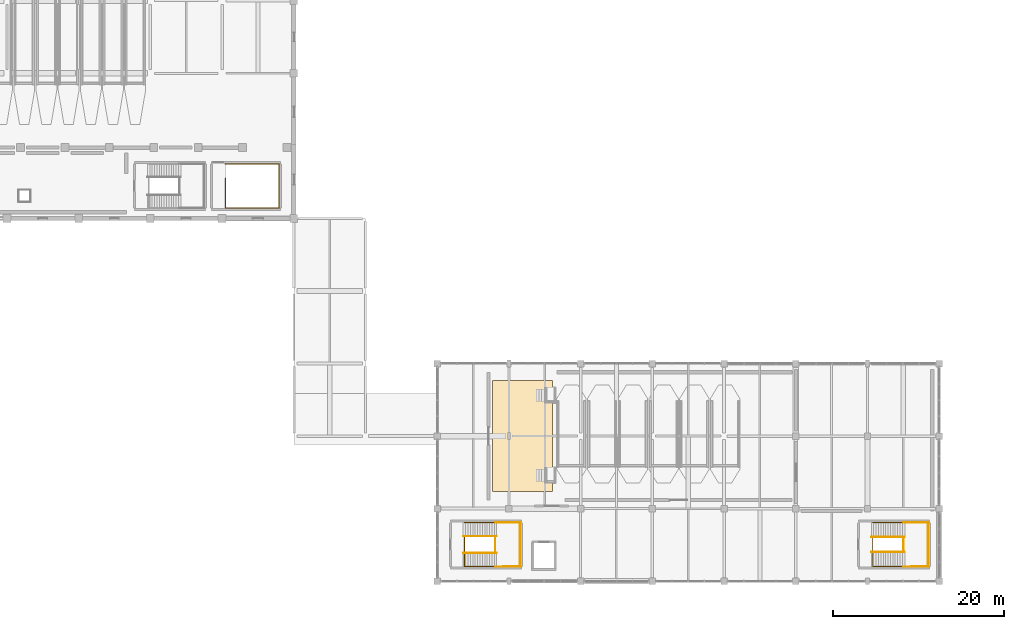
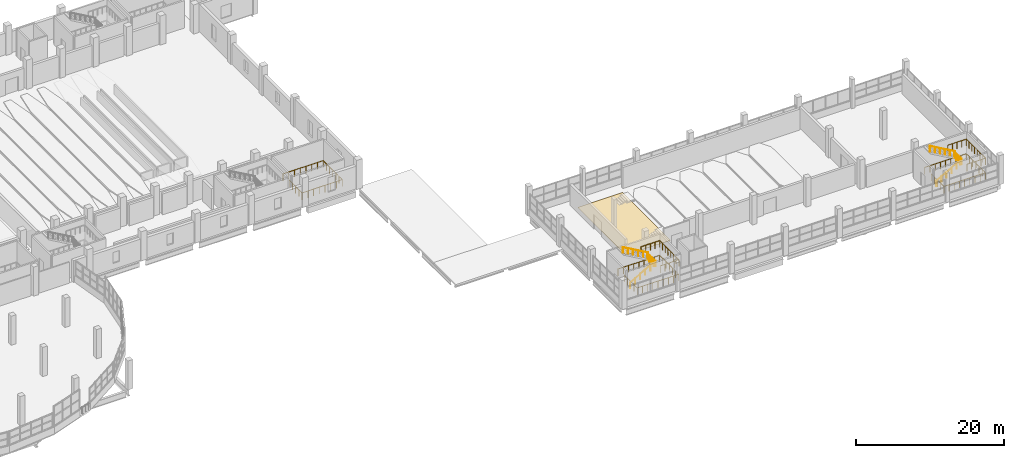
# One storey, part 114 of 117: 11 railings, 1 covering.
"""IFC4 building model written with IfcOpenShell, lengths in metres."""

from ifc_helpers import new_model, si_unit, direction, frame, origin, origin_2d, place, context, subcontext, project, spatial, polyline, circle, outline, extrude, material, layer, layer_set, type_object, element, save


model = new_model("IFC4")

# Units and contexts
model_context = context("Model", 3, precision=1e-05, world=origin(), true_north=direction((0.0, 1.0)))
body_context = subcontext(model_context, "Body", "Model", "MODEL_VIEW")
ifc_project = project(units=[si_unit("LENGTHUNIT", "METRE"), si_unit("AREAUNIT", "SQUARE_METRE"), si_unit("VOLUMEUNIT", "CUBIC_METRE"), si_unit("PLANEANGLEUNIT", "RADIAN"), si_unit("MASSUNIT", "GRAM", prefix="KILO")], contexts=[model_context])

# Site, building, storey
site_placement = place(None, origin())
site = spatial("IfcSite", under=ifc_project, at=site_placement, CompositionType="ELEMENT")
building_placement = place(site_placement, origin())
building = spatial("IfcBuilding", under=site, at=building_placement, Name="Solvento Point Concert Hall", CompositionType="ELEMENT")
storey_placement = place(building_placement, frame((0.0, 0.0, 5.39990234375)))
storey = spatial("IfcBuildingStorey", under=building, at=storey_placement, Name="L01", CompositionType="ELEMENT", Elevation=5.39990234375)

# Railings
ifc_material_1 = material(Name="Brushed Stainless Steel Balustrade", Category="steel")
railing_type_1 = type_object("IfcRailingType", Name="StairHandrail_915", PredefinedType="HANDRAIL", material=ifc_material_1)
railing_1_placement = place(storey_placement, frame((153.050048828125, 3.330078125, 0.16015625)))
element("IfcRailing", 1, at=railing_1_placement, inside=storey, type_object=railing_type_1, Name="Stair handrail HR-01 ST-08 L01 F1", PredefinedType="HANDRAIL", context=body_context, shape_type="SweptSolid", body=[
    extrude(circle(Radius=0.0224609375, at=origin_2d()), frame((0.0, 0.0, 0.892578125), z_axis=(0.868239814368, 0.0, 0.496144761885), x_axis=(0.0, 1.0, 0.0)), (0.0, 0.0, 1.0), 4.514892578125),
    extrude(circle(Radius=0.01904296875, at=origin_2d()), origin(), (0.0, 0.0, 1.0), 0.8701171875),
    extrude(circle(Radius=0.01904296875, at=origin_2d()), frame((0.783935546875, 0.0, 0.447998046875)), (0.0, 0.0, 1.0), 0.8701171875),
    extrude(circle(Radius=0.01904296875, at=origin_2d()), frame((1.56787109375, 0.0, 0.89599609375)), (0.0, 0.0, 1.0), 0.8701171875),
    extrude(circle(Radius=0.01904296875, at=origin_2d()), frame((2.35205078125, 0.0, 1.343994140625)), (0.0, 0.0, 1.0), 0.8701171875),
    extrude(circle(Radius=0.01904296875, at=origin_2d()), frame((3.135986328125, 0.0, 1.7919921875)), (0.0, 0.0, 1.0), 0.8701171875),
    extrude(circle(Radius=0.01904296875, at=origin_2d()), frame((3.919921875, 0.0, 2.239990234375)), (0.0, 0.0, 1.0), 0.8701171875),
])
railing_2_placement = place(storey_placement, frame((156.969970703125, 5.27001953125, 2.56005859375)))
element("IfcRailing", 2, at=railing_2_placement, inside=storey, type_object=railing_type_1, Name="Stair handrail HR-01 ST-08 L01 F2", PredefinedType="HANDRAIL", context=body_context, shape_type="SweptSolid", body=[
    extrude(circle(Radius=0.0224609375, at=origin_2d()), frame((0.0, 0.0, 0.892578125), z_axis=(-0.868239814368, 0.0, 0.496144761885), x_axis=(0.0, -1.0, 0.0)), (0.0, 0.0, 1.0), 4.514892578125),
    extrude(circle(Radius=0.01904296875, at=origin_2d()), origin(), (0.0, 0.0, 1.0), 0.8701171875),
    extrude(circle(Radius=0.01904296875, at=origin_2d()), frame((-0.783935546875, 0.0, 0.447998046875)), (0.0, 0.0, 1.0), 0.8701171875),
    extrude(circle(Radius=0.01904296875, at=origin_2d()), frame((-1.56787109375, 0.0, 0.89599609375)), (0.0, 0.0, 1.0), 0.8701171875),
    extrude(circle(Radius=0.01904296875, at=origin_2d()), frame((-2.35205078125, 0.0, 1.343994140625)), (0.0, 0.0, 1.0), 0.8701171875),
    extrude(circle(Radius=0.01904296875, at=origin_2d()), frame((-3.135986328125, 0.0, 1.7919921875)), (0.0, 0.0, 1.0), 0.8701171875),
    extrude(circle(Radius=0.01904296875, at=origin_2d()), frame((-3.919921875, 0.0, 2.239990234375)), (0.0, 0.0, 1.0), 0.8701171875),
])
railing_3_placement = place(storey_placement, frame((200.85009765625, 3.409912109375, 0.16015625)))
element("IfcRailing", 3, at=railing_3_placement, inside=storey, type_object=railing_type_1, Name="Stair handrail HR-01 ST-09 L01 F1", PredefinedType="HANDRAIL", context=body_context, shape_type="SweptSolid", body=[
    extrude(circle(Radius=0.0224609375, at=origin_2d()), frame((0.0, 0.0, 0.892578125), z_axis=(0.868239814368, 0.0, 0.496144761885), x_axis=(0.0, 1.0, 0.0)), (0.0, 0.0, 1.0), 4.514892578125),
    extrude(circle(Radius=0.01904296875, at=origin_2d()), origin(), (0.0, 0.0, 1.0), 0.8701171875),
    extrude(circle(Radius=0.01904296875, at=origin_2d()), frame((0.783935546875, 0.0, 0.447998046875)), (0.0, 0.0, 1.0), 0.8701171875),
    extrude(circle(Radius=0.01904296875, at=origin_2d()), frame((1.56787109375, 0.0, 0.89599609375)), (0.0, 0.0, 1.0), 0.8701171875),
    extrude(circle(Radius=0.01904296875, at=origin_2d()), frame((2.35205078125, 0.0, 1.343994140625)), (0.0, 0.0, 1.0), 0.8701171875),
    extrude(circle(Radius=0.01904296875, at=origin_2d()), frame((3.135986328125, 0.0, 1.7919921875)), (0.0, 0.0, 1.0), 0.8701171875),
    extrude(circle(Radius=0.01904296875, at=origin_2d()), frame((3.919921875, 0.0, 2.239990234375)), (0.0, 0.0, 1.0), 0.8701171875),
])
railing_4_placement = place(storey_placement, frame((204.77001953125, 5.18994140625, 2.56005859375)))
element("IfcRailing", 4, at=railing_4_placement, inside=storey, type_object=railing_type_1, Name="Stair handrail HR-01 ST-09 L01 F2", PredefinedType="HANDRAIL", context=body_context, shape_type="SweptSolid", body=[
    extrude(circle(Radius=0.0224609375, at=origin_2d()), frame((0.0, 0.0, 0.892578125), z_axis=(-0.868239814368, 0.0, 0.496144761885), x_axis=(0.0, -1.0, 0.0)), (0.0, 0.0, 1.0), 4.514892578125),
    extrude(circle(Radius=0.01904296875, at=origin_2d()), origin(), (0.0, 0.0, 1.0), 0.8701171875),
    extrude(circle(Radius=0.01904296875, at=origin_2d()), frame((-0.783935546875, 0.0, 0.447998046875)), (0.0, 0.0, 1.0), 0.8701171875),
    extrude(circle(Radius=0.01904296875, at=origin_2d()), frame((-1.56787109375, 0.0, 0.89599609375)), (0.0, 0.0, 1.0), 0.8701171875),
    extrude(circle(Radius=0.01904296875, at=origin_2d()), frame((-2.35205078125, 0.0, 1.343994140625)), (0.0, 0.0, 1.0), 0.8701171875),
    extrude(circle(Radius=0.01904296875, at=origin_2d()), frame((-3.135986328125, 0.0, 1.7919921875)), (0.0, 0.0, 1.0), 0.8701171875),
    extrude(circle(Radius=0.01904296875, at=origin_2d()), frame((-3.919921875, 0.0, 2.239990234375)), (0.0, 0.0, 1.0), 0.8701171875),
])
ifc_material_2 = material(Name="Brushed Stainless Steel Balustrade", Category="steel")
railing_type_2 = type_object("IfcRailingType", Name="StairWellGuard_1100", PredefinedType="BALUSTRADE", material=ifc_material_2)
railing_5_placement = place(storey_placement, frame((153.219970703125, 5.219970703125, 0.0)))
element("IfcRailing", 5, at=railing_5_placement, inside=storey, type_object=railing_type_2, Name="Stairwell guard GR-02 ST-08 L01", PredefinedType="BALUSTRADE", context=body_context, shape_type="SweptSolid", body=[
    extrude(circle(Radius=0.02392578125, at=origin_2d()), frame((0.0, 0.0, 1.09619140625), z_axis=(0.0, -1.0, 0.0), x_axis=(1.0, 0.0, 0.0)), (0.0, 0.0, 1.0), 3.5),
    extrude(circle(Radius=0.02392578125, at=origin_2d()), frame((0.0, -3.5, 1.09619140625), z_axis=(1.0, 0.0, 0.0), x_axis=(0.0, 1.0, 0.0)), (0.0, 0.0, 1.0), 6.4599609375),
    extrude(circle(Radius=0.02392578125, at=origin_2d()), frame((6.4599609375, -3.5, 1.09619140625), z_axis=(0.0, 1.0, 0.0), x_axis=(-1.0, 0.0, 0.0)), (0.0, 0.0, 1.0), 5.159912109375),
    extrude(circle(Radius=0.02392578125, at=origin_2d()), frame((6.4599609375, 1.659912109375, 1.09619140625), z_axis=(-1.0, 0.0, 0.0), x_axis=(0.0, -1.0, 0.0)), (0.0, 0.0, 1.0), 6.4599609375),
    extrude(circle(Radius=0.02392578125, at=origin_2d()), frame((0.0, 1.659912109375, 1.09619140625), z_axis=(0.0, 1.0, 0.0), x_axis=(-1.0, 0.0, 0.0)), (0.0, 0.0, 1.0), 0.02001953125),
    extrude(circle(Radius=0.02099609375, at=origin_2d()), origin(), (0.0, 0.0, 1.0), 1.072021484375),
    extrude(circle(Radius=0.02099609375, at=origin_2d()), frame((0.0, -0.875, 0.0)), (0.0, 0.0, 1.0), 1.072021484375),
    extrude(circle(Radius=0.02099609375, at=origin_2d()), frame((0.0, -1.75, 0.0)), (0.0, 0.0, 1.0), 1.072021484375),
    extrude(circle(Radius=0.02099609375, at=origin_2d()), frame((0.0, -2.625, 0.0)), (0.0, 0.0, 1.0), 1.072021484375),
    extrude(circle(Radius=0.02099609375, at=origin_2d()), frame((0.0, -3.5, 0.0)), (0.0, 0.0, 1.0), 1.072021484375),
    extrude(circle(Radius=0.02099609375, at=origin_2d()), frame((0.8076171875, -3.5, 0.0)), (0.0, 0.0, 1.0), 1.072021484375),
    extrude(circle(Radius=0.02099609375, at=origin_2d()), frame((1.614990234375, -3.5, 0.0)), (0.0, 0.0, 1.0), 1.072021484375),
    extrude(circle(Radius=0.02099609375, at=origin_2d()), frame((2.42236328125, -3.5, 0.0)), (0.0, 0.0, 1.0), 1.072021484375),
    extrude(circle(Radius=0.02099609375, at=origin_2d()), frame((3.22998046875, -3.5, 0.0)), (0.0, 0.0, 1.0), 1.072021484375),
    extrude(circle(Radius=0.02099609375, at=origin_2d()), frame((4.03759765625, -3.5, 0.0)), (0.0, 0.0, 1.0), 1.072021484375),
    extrude(circle(Radius=0.02099609375, at=origin_2d()), frame((4.844970703125, -3.5, 0.0)), (0.0, 0.0, 1.0), 1.072021484375),
    extrude(circle(Radius=0.02099609375, at=origin_2d()), frame((5.65234375, -3.5, 0.0)), (0.0, 0.0, 1.0), 1.072021484375),
    extrude(circle(Radius=0.02099609375, at=origin_2d()), frame((6.4599609375, -3.5, 0.0)), (0.0, 0.0, 1.0), 1.072021484375),
    extrude(circle(Radius=0.02099609375, at=origin_2d()), frame((6.4599609375, -2.64013671875, 0.0)), (0.0, 0.0, 1.0), 1.072021484375),
    extrude(circle(Radius=0.02099609375, at=origin_2d()), frame((6.4599609375, -1.780029296875, 0.0)), (0.0, 0.0, 1.0), 1.072021484375),
    extrude(circle(Radius=0.02099609375, at=origin_2d()), frame((6.4599609375, -0.919921875, 0.0)), (0.0, 0.0, 1.0), 1.072021484375),
    extrude(circle(Radius=0.02099609375, at=origin_2d()), frame((6.4599609375, -0.06005859375, 0.0)), (0.0, 0.0, 1.0), 1.072021484375),
    extrude(circle(Radius=0.02099609375, at=origin_2d()), frame((6.4599609375, 0.7998046875, 0.0)), (0.0, 0.0, 1.0), 1.072021484375),
    extrude(circle(Radius=0.02099609375, at=origin_2d()), frame((6.4599609375, 1.659912109375, 0.0)), (0.0, 0.0, 1.0), 1.072021484375),
    extrude(circle(Radius=0.02099609375, at=origin_2d()), frame((5.65234375, 1.659912109375, 0.0)), (0.0, 0.0, 1.0), 1.072021484375),
    extrude(circle(Radius=0.02099609375, at=origin_2d()), frame((4.844970703125, 1.659912109375, 0.0)), (0.0, 0.0, 1.0), 1.072021484375),
    extrude(circle(Radius=0.02099609375, at=origin_2d()), frame((4.03759765625, 1.659912109375, 0.0)), (0.0, 0.0, 1.0), 1.072021484375),
    extrude(circle(Radius=0.02099609375, at=origin_2d()), frame((3.22998046875, 1.659912109375, 0.0)), (0.0, 0.0, 1.0), 1.072021484375),
    extrude(circle(Radius=0.02099609375, at=origin_2d()), frame((2.42236328125, 1.659912109375, 0.0)), (0.0, 0.0, 1.0), 1.072021484375),
    extrude(circle(Radius=0.02099609375, at=origin_2d()), frame((1.614990234375, 1.659912109375, 0.0)), (0.0, 0.0, 1.0), 1.072021484375),
    extrude(circle(Radius=0.02099609375, at=origin_2d()), frame((0.8076171875, 1.659912109375, 0.0)), (0.0, 0.0, 1.0), 1.072021484375),
    extrude(circle(Radius=0.02099609375, at=origin_2d()), frame((0.0, 1.659912109375, 0.0)), (0.0, 0.0, 1.0), 1.072021484375),
    extrude(circle(Radius=0.02099609375, at=origin_2d()), frame((0.0, 1.679931640625, 0.0)), (0.0, 0.0, 1.0), 1.072021484375),
])
railing_6_placement = place(storey_placement, frame((156.800048828125, 1.699951171875, 2.400146484375)))
element("IfcRailing", 6, at=railing_6_placement, inside=storey, type_object=railing_type_2, Name="Half-landing perimeter guard GR-02 ST-08 L01", PredefinedType="BALUSTRADE", context=body_context, shape_type="SweptSolid", body=[
    extrude(circle(Radius=0.02392578125, at=origin_2d()), frame((0.0, 0.0, 1.09619140625), z_axis=(0.999976171564, 0.006903354611, 0.0), x_axis=(-0.006903354611, 0.999976171564, 0.0)), (0.0, 0.0, 1.0), 2.89990234375),
    extrude(circle(Radius=0.02392578125, at=origin_2d()), frame((2.89990234375, 0.02001953125, 1.09619140625), z_axis=(0.0, 1.0, 0.0), x_axis=(-1.0, 0.0, 0.0)), (0.0, 0.0, 1.0), 5.159912109375),
    extrude(circle(Radius=0.02392578125, at=origin_2d()), frame((2.89990234375, 5.179931640625, 1.09619140625), z_axis=(-0.999976171564, 0.006903354611, 0.0), x_axis=(-0.006903354611, -0.999976171564, 0.0)), (0.0, 0.0, 1.0), 2.89990234375),
    extrude(circle(Radius=0.02099609375, at=origin_2d()), origin(), (0.0, 0.0, 1.0), 1.072021484375),
    extrude(circle(Radius=0.02099609375, at=origin_2d()), frame((0.72509765625, 0.0048828125, 0.0)), (0.0, 0.0, 1.0), 1.072021484375),
    extrude(circle(Radius=0.02099609375, at=origin_2d()), frame((1.449951171875, 0.010009765625, 0.0)), (0.0, 0.0, 1.0), 1.072021484375),
    extrude(circle(Radius=0.02099609375, at=origin_2d()), frame((2.1748046875, 0.01513671875, 0.0)), (0.0, 0.0, 1.0), 1.072021484375),
    extrude(circle(Radius=0.02099609375, at=origin_2d()), frame((2.89990234375, 0.02001953125, 0.0)), (0.0, 0.0, 1.0), 1.072021484375),
    extrude(circle(Radius=0.02099609375, at=origin_2d()), frame((2.89990234375, 0.757080078125, 0.0)), (0.0, 0.0, 1.0), 1.072021484375),
    extrude(circle(Radius=0.02099609375, at=origin_2d()), frame((2.89990234375, 1.494384765625, 0.0)), (0.0, 0.0, 1.0), 1.072021484375),
    extrude(circle(Radius=0.02099609375, at=origin_2d()), frame((2.89990234375, 2.2314453125, 0.0)), (0.0, 0.0, 1.0), 1.072021484375),
    extrude(circle(Radius=0.02099609375, at=origin_2d()), frame((2.89990234375, 2.968505859375, 0.0)), (0.0, 0.0, 1.0), 1.072021484375),
    extrude(circle(Radius=0.02099609375, at=origin_2d()), frame((2.89990234375, 3.70556640625, 0.0)), (0.0, 0.0, 1.0), 1.072021484375),
    extrude(circle(Radius=0.02099609375, at=origin_2d()), frame((2.89990234375, 4.44287109375, 0.0)), (0.0, 0.0, 1.0), 1.072021484375),
    extrude(circle(Radius=0.02099609375, at=origin_2d()), frame((2.89990234375, 5.179931640625, 0.0)), (0.0, 0.0, 1.0), 1.072021484375),
    extrude(circle(Radius=0.02099609375, at=origin_2d()), frame((2.1748046875, 5.18505859375, 0.0)), (0.0, 0.0, 1.0), 1.072021484375),
    extrude(circle(Radius=0.02099609375, at=origin_2d()), frame((1.449951171875, 5.18994140625, 0.0)), (0.0, 0.0, 1.0), 1.072021484375),
    extrude(circle(Radius=0.02099609375, at=origin_2d()), frame((0.72509765625, 5.19482421875, 0.0)), (0.0, 0.0, 1.0), 1.072021484375),
    extrude(circle(Radius=0.02099609375, at=origin_2d()), frame((0.0, 5.199951171875, 0.0)), (0.0, 0.0, 1.0), 1.072021484375),
])
railing_7_placement = place(storey_placement, frame((156.800048828125, 3.3798828125, 2.400146484375)))
element("IfcRailing", 7, at=railing_7_placement, inside=storey, type_object=railing_type_2, Name="Half-landing slot guard GR-02 ST-08 L01", PredefinedType="BALUSTRADE", context=body_context, shape_type="SweptSolid", body=[
    extrude(circle(Radius=0.02392578125, at=origin_2d()), frame((0.0, 0.0, 1.09619140625), z_axis=(0.0, 1.0, 0.0), x_axis=(-1.0, 0.0, 0.0)), (0.0, 0.0, 1.0), 1.840087890625),
    extrude(circle(Radius=0.02099609375, at=origin_2d()), origin(), (0.0, 0.0, 1.0), 1.072021484375),
    extrude(circle(Radius=0.02099609375, at=origin_2d()), frame((0.0, 0.61328125, 0.0)), (0.0, 0.0, 1.0), 1.072021484375),
    extrude(circle(Radius=0.02099609375, at=origin_2d()), frame((0.0, 1.226806640625, 0.0)), (0.0, 0.0, 1.0), 1.072021484375),
    extrude(circle(Radius=0.02099609375, at=origin_2d()), frame((0.0, 1.840087890625, 0.0)), (0.0, 0.0, 1.0), 1.072021484375),
])
railing_8_placement = place(storey_placement, frame((201.02001953125, 5.139892578125, 0.0)))
element("IfcRailing", 8, at=railing_8_placement, inside=storey, type_object=railing_type_2, Name="Stairwell guard GR-02 ST-09 L01", PredefinedType="BALUSTRADE", context=body_context, shape_type="SweptSolid", body=[
    extrude(circle(Radius=0.02392578125, at=origin_2d()), frame((0.0, 0.0, 1.09619140625), z_axis=(0.0, -1.0, 0.0), x_axis=(1.0, 0.0, 0.0)), (0.0, 0.0, 1.0), 3.419921875),
    extrude(circle(Radius=0.02392578125, at=origin_2d()), frame((0.0, -3.419921875, 1.09619140625), z_axis=(1.0, 0.0, 0.0), x_axis=(0.0, 1.0, 0.0)), (0.0, 0.0, 1.0), 6.4599609375),
    extrude(circle(Radius=0.02392578125, at=origin_2d()), frame((6.4599609375, -3.419921875, 1.09619140625), z_axis=(0.0, 1.0, 0.0), x_axis=(-1.0, 0.0, 0.0)), (0.0, 0.0, 1.0), 5.159912109375),
    extrude(circle(Radius=0.02392578125, at=origin_2d()), frame((6.4599609375, 1.739990234375, 1.09619140625), z_axis=(-1.0, 0.0, 0.0), x_axis=(0.0, -1.0, 0.0)), (0.0, 0.0, 1.0), 6.4599609375),
    extrude(circle(Radius=0.02392578125, at=origin_2d()), frame((0.0, 1.739990234375, 1.09619140625), z_axis=(0.0, 1.0, 0.0), x_axis=(-1.0, 0.0, 0.0)), (0.0, 0.0, 1.0), 0.02001953125),
    extrude(circle(Radius=0.02099609375, at=origin_2d()), origin(), (0.0, 0.0, 1.0), 1.072021484375),
    extrude(circle(Radius=0.02099609375, at=origin_2d()), frame((0.0, -0.85498046875, 0.0)), (0.0, 0.0, 1.0), 1.072021484375),
    extrude(circle(Radius=0.02099609375, at=origin_2d()), frame((0.0, -1.7099609375, 0.0)), (0.0, 0.0, 1.0), 1.072021484375),
    extrude(circle(Radius=0.02099609375, at=origin_2d()), frame((0.0, -2.56494140625, 0.0)), (0.0, 0.0, 1.0), 1.072021484375),
    extrude(circle(Radius=0.02099609375, at=origin_2d()), frame((0.0, -3.419921875, 0.0)), (0.0, 0.0, 1.0), 1.072021484375),
    extrude(circle(Radius=0.02099609375, at=origin_2d()), frame((0.8076171875, -3.419921875, 0.0)), (0.0, 0.0, 1.0), 1.072021484375),
    extrude(circle(Radius=0.02099609375, at=origin_2d()), frame((1.614990234375, -3.419921875, 0.0)), (0.0, 0.0, 1.0), 1.072021484375),
    extrude(circle(Radius=0.02099609375, at=origin_2d()), frame((2.42236328125, -3.419921875, 0.0)), (0.0, 0.0, 1.0), 1.072021484375),
    extrude(circle(Radius=0.02099609375, at=origin_2d()), frame((3.22998046875, -3.419921875, 0.0)), (0.0, 0.0, 1.0), 1.072021484375),
    extrude(circle(Radius=0.02099609375, at=origin_2d()), frame((4.03759765625, -3.419921875, 0.0)), (0.0, 0.0, 1.0), 1.072021484375),
    extrude(circle(Radius=0.02099609375, at=origin_2d()), frame((4.844970703125, -3.419921875, 0.0)), (0.0, 0.0, 1.0), 1.072021484375),
    extrude(circle(Radius=0.02099609375, at=origin_2d()), frame((5.65234375, -3.419921875, 0.0)), (0.0, 0.0, 1.0), 1.072021484375),
    extrude(circle(Radius=0.02099609375, at=origin_2d()), frame((6.4599609375, -3.419921875, 0.0)), (0.0, 0.0, 1.0), 1.072021484375),
    extrude(circle(Radius=0.02099609375, at=origin_2d()), frame((6.4599609375, -2.56005859375, 0.0)), (0.0, 0.0, 1.0), 1.072021484375),
    extrude(circle(Radius=0.02099609375, at=origin_2d()), frame((6.4599609375, -1.699951171875, 0.0)), (0.0, 0.0, 1.0), 1.072021484375),
    extrude(circle(Radius=0.02099609375, at=origin_2d()), frame((6.4599609375, -0.83984375, 0.0)), (0.0, 0.0, 1.0), 1.072021484375),
    extrude(circle(Radius=0.02099609375, at=origin_2d()), frame((6.4599609375, 0.02001953125, 0.0)), (0.0, 0.0, 1.0), 1.072021484375),
    extrude(circle(Radius=0.02099609375, at=origin_2d()), frame((6.4599609375, 0.8798828125, 0.0)), (0.0, 0.0, 1.0), 1.072021484375),
    extrude(circle(Radius=0.02099609375, at=origin_2d()), frame((6.4599609375, 1.739990234375, 0.0)), (0.0, 0.0, 1.0), 1.072021484375),
    extrude(circle(Radius=0.02099609375, at=origin_2d()), frame((5.65234375, 1.739990234375, 0.0)), (0.0, 0.0, 1.0), 1.072021484375),
    extrude(circle(Radius=0.02099609375, at=origin_2d()), frame((4.844970703125, 1.739990234375, 0.0)), (0.0, 0.0, 1.0), 1.072021484375),
    extrude(circle(Radius=0.02099609375, at=origin_2d()), frame((4.03759765625, 1.739990234375, 0.0)), (0.0, 0.0, 1.0), 1.072021484375),
    extrude(circle(Radius=0.02099609375, at=origin_2d()), frame((3.22998046875, 1.739990234375, 0.0)), (0.0, 0.0, 1.0), 1.072021484375),
    extrude(circle(Radius=0.02099609375, at=origin_2d()), frame((2.42236328125, 1.739990234375, 0.0)), (0.0, 0.0, 1.0), 1.072021484375),
    extrude(circle(Radius=0.02099609375, at=origin_2d()), frame((1.614990234375, 1.739990234375, 0.0)), (0.0, 0.0, 1.0), 1.072021484375),
    extrude(circle(Radius=0.02099609375, at=origin_2d()), frame((0.8076171875, 1.739990234375, 0.0)), (0.0, 0.0, 1.0), 1.072021484375),
    extrude(circle(Radius=0.02099609375, at=origin_2d()), frame((0.0, 1.739990234375, 0.0)), (0.0, 0.0, 1.0), 1.072021484375),
    extrude(circle(Radius=0.02099609375, at=origin_2d()), frame((0.0, 1.760009765625, 0.0)), (0.0, 0.0, 1.0), 1.072021484375),
])
railing_9_placement = place(storey_placement, frame((204.60009765625, 1.699951171875, 2.400146484375)))
element("IfcRailing", 9, at=railing_9_placement, inside=storey, type_object=railing_type_2, Name="Half-landing perimeter guard GR-02 ST-09 L01", PredefinedType="BALUSTRADE", context=body_context, shape_type="SweptSolid", body=[
    extrude(circle(Radius=0.02392578125, at=origin_2d()), frame((0.0, 0.0, 1.09619140625), z_axis=(0.999976171564, 0.006903354611, 0.0), x_axis=(-0.006903354611, 0.999976171564, 0.0)), (0.0, 0.0, 1.0), 2.89990234375),
    extrude(circle(Radius=0.02392578125, at=origin_2d()), frame((2.89990234375, 0.02001953125, 1.09619140625), z_axis=(0.0, 1.0, 0.0), x_axis=(-1.0, 0.0, 0.0)), (0.0, 0.0, 1.0), 5.159912109375),
    extrude(circle(Radius=0.02392578125, at=origin_2d()), frame((2.89990234375, 5.179931640625, 1.09619140625), z_axis=(-0.999976171564, 0.006903354611, 0.0), x_axis=(-0.006903354611, -0.999976171564, 0.0)), (0.0, 0.0, 1.0), 2.89990234375),
    extrude(circle(Radius=0.02099609375, at=origin_2d()), origin(), (0.0, 0.0, 1.0), 1.072021484375),
    extrude(circle(Radius=0.02099609375, at=origin_2d()), frame((0.72509765625, 0.0048828125, 0.0)), (0.0, 0.0, 1.0), 1.072021484375),
    extrude(circle(Radius=0.02099609375, at=origin_2d()), frame((1.449951171875, 0.010009765625, 0.0)), (0.0, 0.0, 1.0), 1.072021484375),
    extrude(circle(Radius=0.02099609375, at=origin_2d()), frame((2.1748046875, 0.01513671875, 0.0)), (0.0, 0.0, 1.0), 1.072021484375),
    extrude(circle(Radius=0.02099609375, at=origin_2d()), frame((2.89990234375, 0.02001953125, 0.0)), (0.0, 0.0, 1.0), 1.072021484375),
    extrude(circle(Radius=0.02099609375, at=origin_2d()), frame((2.89990234375, 0.757080078125, 0.0)), (0.0, 0.0, 1.0), 1.072021484375),
    extrude(circle(Radius=0.02099609375, at=origin_2d()), frame((2.89990234375, 1.494384765625, 0.0)), (0.0, 0.0, 1.0), 1.072021484375),
    extrude(circle(Radius=0.02099609375, at=origin_2d()), frame((2.89990234375, 2.2314453125, 0.0)), (0.0, 0.0, 1.0), 1.072021484375),
    extrude(circle(Radius=0.02099609375, at=origin_2d()), frame((2.89990234375, 2.968505859375, 0.0)), (0.0, 0.0, 1.0), 1.072021484375),
    extrude(circle(Radius=0.02099609375, at=origin_2d()), frame((2.89990234375, 3.70556640625, 0.0)), (0.0, 0.0, 1.0), 1.072021484375),
    extrude(circle(Radius=0.02099609375, at=origin_2d()), frame((2.89990234375, 4.44287109375, 0.0)), (0.0, 0.0, 1.0), 1.072021484375),
    extrude(circle(Radius=0.02099609375, at=origin_2d()), frame((2.89990234375, 5.179931640625, 0.0)), (0.0, 0.0, 1.0), 1.072021484375),
    extrude(circle(Radius=0.02099609375, at=origin_2d()), frame((2.1748046875, 5.18505859375, 0.0)), (0.0, 0.0, 1.0), 1.072021484375),
    extrude(circle(Radius=0.02099609375, at=origin_2d()), frame((1.449951171875, 5.18994140625, 0.0)), (0.0, 0.0, 1.0), 1.072021484375),
    extrude(circle(Radius=0.02099609375, at=origin_2d()), frame((0.72509765625, 5.19482421875, 0.0)), (0.0, 0.0, 1.0), 1.072021484375),
    extrude(circle(Radius=0.02099609375, at=origin_2d()), frame((0.0, 5.199951171875, 0.0)), (0.0, 0.0, 1.0), 1.072021484375),
])
railing_10_placement = place(storey_placement, frame((204.60009765625, 3.4599609375, 2.400146484375)))
element("IfcRailing", 10, at=railing_10_placement, inside=storey, type_object=railing_type_2, Name="Half-landing slot guard GR-02 ST-09 L01", PredefinedType="BALUSTRADE", context=body_context, shape_type="SweptSolid", body=[
    extrude(circle(Radius=0.02392578125, at=origin_2d()), frame((0.0, 0.0, 1.09619140625), z_axis=(0.0, 1.0, 0.0), x_axis=(-1.0, 0.0, 0.0)), (0.0, 0.0, 1.0), 1.679931640625),
    extrude(circle(Radius=0.02099609375, at=origin_2d()), origin(), (0.0, 0.0, 1.0), 1.072021484375),
    extrude(circle(Radius=0.02099609375, at=origin_2d()), frame((0.0, 0.56005859375, 0.0)), (0.0, 0.0, 1.0), 1.072021484375),
    extrude(circle(Radius=0.02099609375, at=origin_2d()), frame((0.0, 1.119873046875, 0.0)), (0.0, 0.0, 1.0), 1.072021484375),
    extrude(circle(Radius=0.02099609375, at=origin_2d()), frame((0.0, 1.679931640625, 0.0)), (0.0, 0.0, 1.0), 1.072021484375),
])
railing_11_placement = place(storey_placement, frame((125.219970703125, 47.219970703125, 0.0)))
element("IfcRailing", 11, at=railing_11_placement, inside=storey, type_object=railing_type_2, Name="Stairwell guard GR-02 VOM-02 L01", PredefinedType="BALUSTRADE", context=body_context, shape_type="SweptSolid", body=[
    extrude(circle(Radius=0.02392578125, at=origin_2d()), frame((0.0, 0.0, 1.09619140625), z_axis=(0.0, -1.0, 0.0), x_axis=(1.0, 0.0, 0.0)), (0.0, 0.0, 1.0), 3.5),
    extrude(circle(Radius=0.02392578125, at=origin_2d()), frame((0.0, -3.5, 1.09619140625), z_axis=(1.0, 0.0, 0.0), x_axis=(0.0, 1.0, 0.0)), (0.0, 0.0, 1.0), 6.260009765625),
    extrude(circle(Radius=0.02392578125, at=origin_2d()), frame((6.260009765625, -3.5, 1.09619140625), z_axis=(0.0, 1.0, 0.0), x_axis=(-1.0, 0.0, 0.0)), (0.0, 0.0, 1.0), 5.159912109375),
    extrude(circle(Radius=0.02392578125, at=origin_2d()), frame((6.260009765625, 1.659912109375, 1.09619140625), z_axis=(-1.0, 0.0, 0.0), x_axis=(0.0, -1.0, 0.0)), (0.0, 0.0, 1.0), 6.260009765625),
    extrude(circle(Radius=0.02392578125, at=origin_2d()), frame((0.0, 1.659912109375, 1.09619140625), z_axis=(0.0, 1.0, 0.0), x_axis=(-1.0, 0.0, 0.0)), (0.0, 0.0, 1.0), 0.02001953125),
    extrude(circle(Radius=0.02099609375, at=origin_2d()), origin(), (0.0, 0.0, 1.0), 1.072021484375),
    extrude(circle(Radius=0.02099609375, at=origin_2d()), frame((0.0, -0.875, 0.0)), (0.0, 0.0, 1.0), 1.072021484375),
    extrude(circle(Radius=0.02099609375, at=origin_2d()), frame((0.0, -1.75, 0.0)), (0.0, 0.0, 1.0), 1.072021484375),
    extrude(circle(Radius=0.02099609375, at=origin_2d()), frame((0.0, -2.625, 0.0)), (0.0, 0.0, 1.0), 1.072021484375),
    extrude(circle(Radius=0.02099609375, at=origin_2d()), frame((0.0, -3.5, 0.0)), (0.0, 0.0, 1.0), 1.072021484375),
    extrude(circle(Radius=0.02099609375, at=origin_2d()), frame((0.894287109375, -3.5, 0.0)), (0.0, 0.0, 1.0), 1.072021484375),
    extrude(circle(Radius=0.02099609375, at=origin_2d()), frame((1.78857421875, -3.5, 0.0)), (0.0, 0.0, 1.0), 1.072021484375),
    extrude(circle(Radius=0.02099609375, at=origin_2d()), frame((2.682861328125, -3.5, 0.0)), (0.0, 0.0, 1.0), 1.072021484375),
    extrude(circle(Radius=0.02099609375, at=origin_2d()), frame((3.5771484375, -3.5, 0.0)), (0.0, 0.0, 1.0), 1.072021484375),
    extrude(circle(Radius=0.02099609375, at=origin_2d()), frame((4.471435546875, -3.5, 0.0)), (0.0, 0.0, 1.0), 1.072021484375),
    extrude(circle(Radius=0.02099609375, at=origin_2d()), frame((5.36572265625, -3.5, 0.0)), (0.0, 0.0, 1.0), 1.072021484375),
    extrude(circle(Radius=0.02099609375, at=origin_2d()), frame((6.260009765625, -3.5, 0.0)), (0.0, 0.0, 1.0), 1.072021484375),
    extrude(circle(Radius=0.02099609375, at=origin_2d()), frame((6.260009765625, -2.64013671875, 0.0)), (0.0, 0.0, 1.0), 1.072021484375),
    extrude(circle(Radius=0.02099609375, at=origin_2d()), frame((6.260009765625, -1.780029296875, 0.0)), (0.0, 0.0, 1.0), 1.072021484375),
    extrude(circle(Radius=0.02099609375, at=origin_2d()), frame((6.260009765625, -0.919921875, 0.0)), (0.0, 0.0, 1.0), 1.072021484375),
    extrude(circle(Radius=0.02099609375, at=origin_2d()), frame((6.260009765625, -0.06005859375, 0.0)), (0.0, 0.0, 1.0), 1.072021484375),
    extrude(circle(Radius=0.02099609375, at=origin_2d()), frame((6.260009765625, 0.7998046875, 0.0)), (0.0, 0.0, 1.0), 1.072021484375),
    extrude(circle(Radius=0.02099609375, at=origin_2d()), frame((6.260009765625, 1.659912109375, 0.0)), (0.0, 0.0, 1.0), 1.072021484375),
    extrude(circle(Radius=0.02099609375, at=origin_2d()), frame((5.36572265625, 1.659912109375, 0.0)), (0.0, 0.0, 1.0), 1.072021484375),
    extrude(circle(Radius=0.02099609375, at=origin_2d()), frame((4.471435546875, 1.659912109375, 0.0)), (0.0, 0.0, 1.0), 1.072021484375),
    extrude(circle(Radius=0.02099609375, at=origin_2d()), frame((3.5771484375, 1.659912109375, 0.0)), (0.0, 0.0, 1.0), 1.072021484375),
    extrude(circle(Radius=0.02099609375, at=origin_2d()), frame((2.682861328125, 1.659912109375, 0.0)), (0.0, 0.0, 1.0), 1.072021484375),
    extrude(circle(Radius=0.02099609375, at=origin_2d()), frame((1.78857421875, 1.659912109375, 0.0)), (0.0, 0.0, 1.0), 1.072021484375),
    extrude(circle(Radius=0.02099609375, at=origin_2d()), frame((0.894287109375, 1.659912109375, 0.0)), (0.0, 0.0, 1.0), 1.072021484375),
    extrude(circle(Radius=0.02099609375, at=origin_2d()), frame((0.0, 1.659912109375, 0.0)), (0.0, 0.0, 1.0), 1.072021484375),
    extrude(circle(Radius=0.02099609375, at=origin_2d()), frame((0.0, 1.679931640625, 0.0)), (0.0, 0.0, 1.0), 1.072021484375),
])

# Covering
ifc_material_3 = material(Name="Coral-Sand Terrazzo Flooring")
ifc_layer = layer(ifc_material_3, 0.02490234375)
ifc_layer_set = layer_set([ifc_layer], Name="Coral-Sand Terrazzo Flooring")
covering_type = type_object("IfcCoveringType", Name="TerrazzoFlooring_25", PredefinedType="FLOORING", material=ifc_layer_set)
covering_placement = place(storey_placement, origin())
element("IfcCovering", 12, at=covering_placement, inside=storey, type_object=covering_type, Name="Coral-sand terrazzo floor finish FLR-L01-CHM", PredefinedType="FLOORING", context=body_context, shape_type="SweptSolid", body=[
    extrude(outline(polyline([(156.5, 10.5), (163.5, 10.5), (163.5, 23.5), (156.5, 23.5), (156.5, 10.5)])), origin(), (0.0, 0.0, 1.0), 0.025146484375),
])

save(model, "model.ifc")
